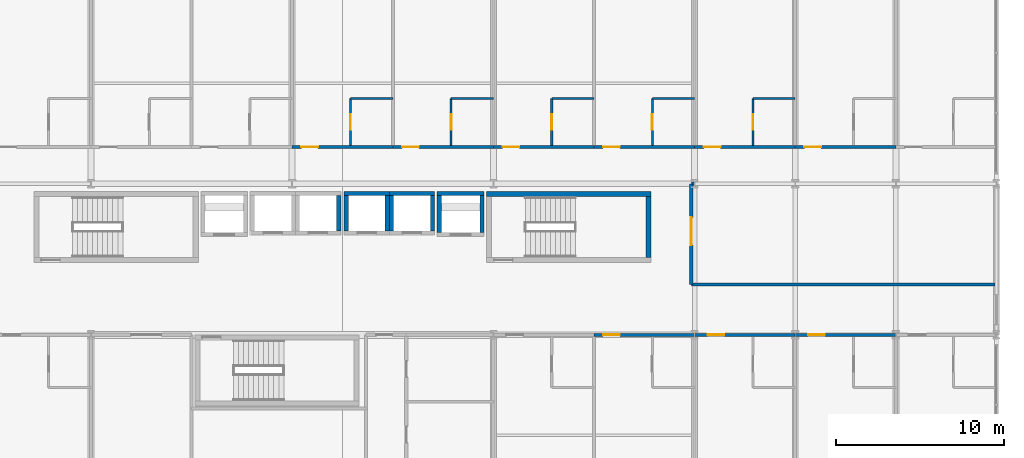
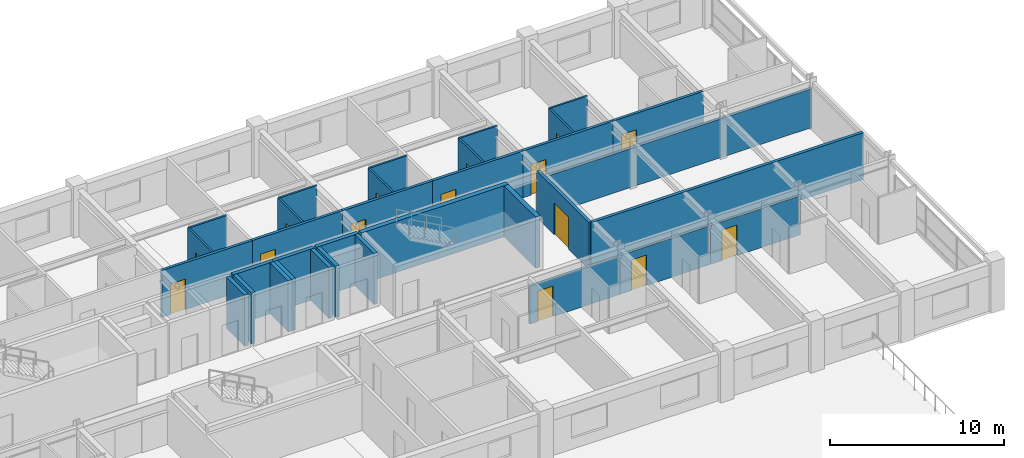
# One storey, part 19 of 24: 34 walls, 15 doors, 15 openings.
"""IFC4 building model written with IfcOpenShell, lengths in metres."""

from ifc_helpers import new_model, si_unit, direction, frame, frame_2d, origin, place, context, subcontext, project, spatial, rectangle, extrude, material, layer, layer_set, type_object, element, fill, save


model = new_model("IFC4")

# Units and contexts
model_context = context("Model", 3, precision=1e-05, world=origin(), true_north=direction((0.0, 1.0)))
body_context = subcontext(model_context, "Body", "Model", "MODEL_VIEW")
ifc_project = project(units=[si_unit("LENGTHUNIT", "METRE"), si_unit("AREAUNIT", "SQUARE_METRE"), si_unit("VOLUMEUNIT", "CUBIC_METRE"), si_unit("PLANEANGLEUNIT", "RADIAN"), si_unit("MASSUNIT", "GRAM", prefix="KILO")], contexts=[model_context])

# Site, building, storey
site_placement = place(None, origin())
site = spatial("IfcSite", under=ifc_project, at=site_placement, CompositionType="ELEMENT")
building_placement = place(site_placement, origin())
building = spatial("IfcBuilding", under=site, at=building_placement, Name="Kaldorvane Square Convention Centre", CompositionType="ELEMENT")
storey_placement = place(building_placement, frame((0.0, 0.0, 27.600006103515625)))
storey = spatial("IfcBuildingStorey", under=building, at=storey_placement, Name="L05", CompositionType="ELEMENT", Elevation=27.600006103515625)

# Wall, opening, door
ifc_material_1 = material(Name="Fire-Rated Gypsum Board on Acoustic Steel Studs", Category="steel")
ifc_layer_1 = layer(ifc_material_1, 0.125)
ifc_layer_set_1 = layer_set([ifc_layer_1], Name="Fire-Rated Gypsum Board on Acoustic Steel Studs")
wall_type_1 = type_object("IfcWallType", Name="WL-BATH-125", PredefinedType="PARTITIONING", material=ifc_layer_set_1)
wall_1_placement = place(storey_placement, frame((57.47999572753906, 107.28999328613281, 0.0), z_axis=(0.0, 0.0, 1.0), x_axis=(0.0, 1.0, 0.0)))
wall_1 = element("IfcWall", 1, at=wall_1_placement, inside=storey, type_object=wall_type_1, Name="En-Suite 506 West Wall", PredefinedType="PARTITIONING", context=body_context, shape_type="SweptSolid", body=[
    extrude(rectangle(XDim=2.8100128173828125, YDim=0.125, at=frame_2d((1.404998779296875, 0.0))), origin(), (0.0, 0.0, 1.0), 3.2899932861328125),
])
opening_1_placement = place(wall_1_placement, frame((0.9499969482421875, 0.0, 0.0)))
opening_1 = element("IfcOpeningElement", 2, at=opening_1_placement, cuts=wall_1, Name="Opening ID-12", PredefinedType="OPENING", context=body_context, shape_type="SweptSolid", body=[
    extrude(rectangle(XDim=0.9199981689453125, YDim=2.100006103515625, at=frame_2d((0.459991455078125, 1.0500030517578125))), frame((0.0, 0.0774993896484375, 0.0), z_axis=(0.0, -1.0, 0.0), x_axis=(1.0, 0.0, 0.0)), (0.0, 0.0, 1.0), 0.154998779296875),
])
ifc_material_2 = material(Name="Architectural Solid-Core White Oak")
door_type_1 = type_object("IfcDoorType", Name="DR-BATH-0920X2100", OperationType="SINGLE_SWING_RIGHT", PredefinedType="DOOR", material=ifc_material_2)
door_1_placement = place(opening_1_placement, origin())
door_1 = element("IfcDoor", 3, at=door_1_placement, inside=storey, type_object=door_type_1, Name="En-Suite Bathroom 506 Door", OperationType="SINGLE_SWING_RIGHT", OverallHeight=2.100006103515625, OverallWidth=0.9199981689453125, PredefinedType="DOOR", context=body_context, shape_type="SweptSolid", body=[
    extrude(rectangle(XDim=0.9199981689453125, YDim=2.100006103515625, at=frame_2d((0.459991455078125, 1.0500030517578125))), frame((0.0, 0.024993896484375, 0.0), z_axis=(0.0, -1.0, 0.0), x_axis=(1.0, 0.0, 0.0)), (0.0, 0.0, 1.0), 0.0500030517578125),
])
fill(opening_1, door_1)

# Wall
wall_2_placement = place(storey_placement, frame((57.47999572753906, 110.10000610351562, 0.0), z_axis=(0.0, 0.0, 1.0), x_axis=(1.0, 0.0, 0.0)))
element("IfcWall", 4, at=wall_2_placement, inside=storey, type_object=wall_type_1, Name="En-Suite 506 North Wall", PredefinedType="PARTITIONING", context=body_context, shape_type="SweptSolid", body=[
    extrude(rectangle(XDim=2.5200042724609375, YDim=0.125, at=frame_2d((1.260009765625, 0.0))), origin(), (0.0, 0.0, 1.0), 3.2899932861328125),
])

# Wall, opening, door
wall_3_placement = place(storey_placement, frame((63.47999572753906, 107.28999328613281, 0.0), z_axis=(0.0, 0.0, 1.0), x_axis=(0.0, 1.0, 0.0)))
wall_3 = element("IfcWall", 5, at=wall_3_placement, inside=storey, type_object=wall_type_1, Name="En-Suite 507 West Wall", PredefinedType="PARTITIONING", context=body_context, shape_type="SweptSolid", body=[
    extrude(rectangle(XDim=2.8100128173828125, YDim=0.125, at=frame_2d((1.404998779296875, 0.0))), origin(), (0.0, 0.0, 1.0), 3.2899932861328125),
])
opening_2_placement = place(wall_3_placement, frame((0.9499969482421875, 0.0, 0.0)))
opening_2 = element("IfcOpeningElement", 6, at=opening_2_placement, cuts=wall_3, Name="Opening ID-12", PredefinedType="OPENING", context=body_context, shape_type="SweptSolid", body=[
    extrude(rectangle(XDim=0.9199981689453125, YDim=2.100006103515625, at=frame_2d((0.459991455078125, 1.0500030517578125))), frame((0.0, 0.0774993896484375, 0.0), z_axis=(0.0, -1.0, 0.0), x_axis=(1.0, 0.0, 0.0)), (0.0, 0.0, 1.0), 0.154998779296875),
])
door_2_placement = place(opening_2_placement, origin())
door_2 = element("IfcDoor", 7, at=door_2_placement, inside=storey, type_object=door_type_1, Name="En-Suite Bathroom 507 Door", OperationType="SINGLE_SWING_RIGHT", OverallHeight=2.100006103515625, OverallWidth=0.9199981689453125, PredefinedType="DOOR", context=body_context, shape_type="SweptSolid", body=[
    extrude(rectangle(XDim=0.9199981689453125, YDim=2.100006103515625, at=frame_2d((0.459991455078125, 1.0500030517578125))), frame((0.0, 0.024993896484375, 0.0), z_axis=(0.0, -1.0, 0.0), x_axis=(1.0, 0.0, 0.0)), (0.0, 0.0, 1.0), 0.0500030517578125),
])
fill(opening_2, door_2)

# Wall
wall_4_placement = place(storey_placement, frame((63.47999572753906, 110.10000610351562, 0.0), z_axis=(0.0, 0.0, 1.0), x_axis=(1.0, 0.0, 0.0)))
element("IfcWall", 8, at=wall_4_placement, inside=storey, type_object=wall_type_1, Name="En-Suite 507 North Wall", PredefinedType="PARTITIONING", context=body_context, shape_type="SweptSolid", body=[
    extrude(rectangle(XDim=2.5200042724609375, YDim=0.125, at=frame_2d((1.260009765625, 0.0))), origin(), (0.0, 0.0, 1.0), 3.2899932861328125),
])

# Wall, opening, door
wall_5_placement = place(storey_placement, frame((69.47999572753906, 107.28999328613281, 0.0), z_axis=(0.0, 0.0, 1.0), x_axis=(0.0, 1.0, 0.0)))
wall_5 = element("IfcWall", 9, at=wall_5_placement, inside=storey, type_object=wall_type_1, Name="En-Suite 508 West Wall", PredefinedType="PARTITIONING", context=body_context, shape_type="SweptSolid", body=[
    extrude(rectangle(XDim=2.8100128173828125, YDim=0.125, at=frame_2d((1.404998779296875, 0.0))), origin(), (0.0, 0.0, 1.0), 3.2899932861328125),
])
opening_3_placement = place(wall_5_placement, frame((0.9499969482421875, 0.0, 0.0)))
opening_3 = element("IfcOpeningElement", 10, at=opening_3_placement, cuts=wall_5, Name="Opening ID-12", PredefinedType="OPENING", context=body_context, shape_type="SweptSolid", body=[
    extrude(rectangle(XDim=0.9199981689453125, YDim=2.100006103515625, at=frame_2d((0.459991455078125, 1.0500030517578125))), frame((0.0, 0.0774993896484375, 0.0), z_axis=(0.0, -1.0, 0.0), x_axis=(1.0, 0.0, 0.0)), (0.0, 0.0, 1.0), 0.154998779296875),
])
door_3_placement = place(opening_3_placement, origin())
door_3 = element("IfcDoor", 11, at=door_3_placement, inside=storey, type_object=door_type_1, Name="En-Suite Bathroom 508 Door", OperationType="SINGLE_SWING_RIGHT", OverallHeight=2.100006103515625, OverallWidth=0.9199981689453125, PredefinedType="DOOR", context=body_context, shape_type="SweptSolid", body=[
    extrude(rectangle(XDim=0.9199981689453125, YDim=2.100006103515625, at=frame_2d((0.459991455078125, 1.0500030517578125))), frame((0.0, 0.024993896484375, 0.0), z_axis=(0.0, -1.0, 0.0), x_axis=(1.0, 0.0, 0.0)), (0.0, 0.0, 1.0), 0.0500030517578125),
])
fill(opening_3, door_3)

# Wall
wall_6_placement = place(storey_placement, frame((69.47999572753906, 110.10000610351562, 0.0), z_axis=(0.0, 0.0, 1.0), x_axis=(1.0, 0.0, 0.0)))
element("IfcWall", 12, at=wall_6_placement, inside=storey, type_object=wall_type_1, Name="En-Suite 508 North Wall", PredefinedType="PARTITIONING", context=body_context, shape_type="SweptSolid", body=[
    extrude(rectangle(XDim=2.5200042724609375, YDim=0.125, at=frame_2d((1.260009765625, 0.0))), origin(), (0.0, 0.0, 1.0), 3.2899932861328125),
])

# Wall, opening, door
wall_7_placement = place(storey_placement, frame((75.47999572753906, 107.28999328613281, 0.0), z_axis=(0.0, 0.0, 1.0), x_axis=(0.0, 1.0, 0.0)))
wall_7 = element("IfcWall", 13, at=wall_7_placement, inside=storey, type_object=wall_type_1, Name="En-Suite 509 West Wall", PredefinedType="PARTITIONING", context=body_context, shape_type="SweptSolid", body=[
    extrude(rectangle(XDim=2.8100128173828125, YDim=0.125, at=frame_2d((1.404998779296875, 0.0))), origin(), (0.0, 0.0, 1.0), 3.2899932861328125),
])
opening_4_placement = place(wall_7_placement, frame((0.9499969482421875, 0.0, 0.0)))
opening_4 = element("IfcOpeningElement", 14, at=opening_4_placement, cuts=wall_7, Name="Opening ID-12", PredefinedType="OPENING", context=body_context, shape_type="SweptSolid", body=[
    extrude(rectangle(XDim=0.9199981689453125, YDim=2.100006103515625, at=frame_2d((0.459991455078125, 1.0500030517578125))), frame((0.0, 0.0774993896484375, 0.0), z_axis=(0.0, -1.0, 0.0), x_axis=(1.0, 0.0, 0.0)), (0.0, 0.0, 1.0), 0.154998779296875),
])
door_4_placement = place(opening_4_placement, origin())
door_4 = element("IfcDoor", 15, at=door_4_placement, inside=storey, type_object=door_type_1, Name="En-Suite Bathroom 509 Door", OperationType="SINGLE_SWING_RIGHT", OverallHeight=2.100006103515625, OverallWidth=0.9199981689453125, PredefinedType="DOOR", context=body_context, shape_type="SweptSolid", body=[
    extrude(rectangle(XDim=0.9199981689453125, YDim=2.100006103515625, at=frame_2d((0.459991455078125, 1.0500030517578125))), frame((0.0, 0.024993896484375, 0.0), z_axis=(0.0, -1.0, 0.0), x_axis=(1.0, 0.0, 0.0)), (0.0, 0.0, 1.0), 0.0500030517578125),
])
fill(opening_4, door_4)

# Wall
wall_8_placement = place(storey_placement, frame((75.47999572753906, 110.10000610351562, 0.0), z_axis=(0.0, 0.0, 1.0), x_axis=(1.0, 0.0, 0.0)))
element("IfcWall", 16, at=wall_8_placement, inside=storey, type_object=wall_type_1, Name="En-Suite 509 North Wall", PredefinedType="PARTITIONING", context=body_context, shape_type="SweptSolid", body=[
    extrude(rectangle(XDim=2.5200042724609375, YDim=0.125, at=frame_2d((1.260009765625, 0.0))), origin(), (0.0, 0.0, 1.0), 3.2899932861328125),
])

# Wall, opening, door
wall_9_placement = place(storey_placement, frame((81.47999572753906, 107.28999328613281, 0.0), z_axis=(0.0, 0.0, 1.0), x_axis=(0.0, 1.0, 0.0)))
wall_9 = element("IfcWall", 17, at=wall_9_placement, inside=storey, type_object=wall_type_1, Name="En-Suite 510 West Wall", PredefinedType="PARTITIONING", context=body_context, shape_type="SweptSolid", body=[
    extrude(rectangle(XDim=2.8100128173828125, YDim=0.125, at=frame_2d((1.404998779296875, 0.0))), origin(), (0.0, 0.0, 1.0), 3.2899932861328125),
])
opening_5_placement = place(wall_9_placement, frame((0.9499969482421875, 0.0, 0.0)))
opening_5 = element("IfcOpeningElement", 18, at=opening_5_placement, cuts=wall_9, Name="Opening ID-12", PredefinedType="OPENING", context=body_context, shape_type="SweptSolid", body=[
    extrude(rectangle(XDim=0.9199981689453125, YDim=2.100006103515625, at=frame_2d((0.459991455078125, 1.0500030517578125))), frame((0.0, 0.0774993896484375, 0.0), z_axis=(0.0, -1.0, 0.0), x_axis=(1.0, 0.0, 0.0)), (0.0, 0.0, 1.0), 0.154998779296875),
])
door_5_placement = place(opening_5_placement, origin())
door_5 = element("IfcDoor", 19, at=door_5_placement, inside=storey, type_object=door_type_1, Name="En-Suite Bathroom 510 Door", OperationType="SINGLE_SWING_RIGHT", OverallHeight=2.100006103515625, OverallWidth=0.9199981689453125, PredefinedType="DOOR", context=body_context, shape_type="SweptSolid", body=[
    extrude(rectangle(XDim=0.9199981689453125, YDim=2.100006103515625, at=frame_2d((0.459991455078125, 1.0500030517578125))), frame((0.0, 0.024993896484375, 0.0), z_axis=(0.0, -1.0, 0.0), x_axis=(1.0, 0.0, 0.0)), (0.0, 0.0, 1.0), 0.0500030517578125),
])
fill(opening_5, door_5)

# Walls
wall_10_placement = place(storey_placement, frame((81.47999572753906, 110.10000610351562, 0.0), z_axis=(0.0, 0.0, 1.0), x_axis=(1.0, 0.0, 0.0)))
element("IfcWall", 20, at=wall_10_placement, inside=storey, type_object=wall_type_1, Name="En-Suite 510 North Wall", PredefinedType="PARTITIONING", context=body_context, shape_type="SweptSolid", body=[
    extrude(rectangle(XDim=2.5200042724609375, YDim=0.125, at=frame_2d((1.260009765625, 0.0))), origin(), (0.0, 0.0, 1.0), 3.2899932861328125),
])
ifc_layer_2 = layer(ifc_material_1, 0.1999969482421875)
ifc_layer_set_2 = layer_set([ifc_layer_2], Name="Fire-Rated Gypsum Board on Acoustic Steel Studs")
wall_type_2 = type_object("IfcWallType", Name="WL-CORR-200", PredefinedType="PARTITIONING", material=ifc_layer_set_2)
wall_11_placement = place(storey_placement, frame((77.80000305175781, 99.0, 0.0), z_axis=(0.0, 0.0, 1.0), x_axis=(1.0, 0.0, 0.0)))
element("IfcWall", 21, at=wall_11_placement, inside=storey, type_object=wall_type_2, Name="East Square View Lounge (L05) S Wall", PredefinedType="PARTITIONING", context=body_context, shape_type="SweptSolid", body=[
    extrude(rectangle(XDim=18.114990234375, YDim=0.1999969482421875, at=frame_2d((9.0574951171875, 0.0))), origin(), (0.0, 0.0, 1.0), 3.2899932861328125),
])
wall_12_placement = place(storey_placement, frame((95.91499328613281, 105.0, 0.0), z_axis=(0.0, 0.0, 1.0), x_axis=(-1.0, 0.0, 0.0)))
element("IfcWall", 22, at=wall_12_placement, inside=storey, type_object=wall_type_2, Name="East Square View Lounge (L05) N Wall", PredefinedType="PARTITIONING", context=body_context, shape_type="SweptSolid", body=[
    extrude(rectangle(XDim=18.114990234375, YDim=0.1999969482421875, at=frame_2d((9.0574951171875, 0.0))), origin(), (0.0, 0.0, 1.0), 2.735992431640625),
])

# Wall, opening, door
wall_13_placement = place(storey_placement, frame((77.80000305175781, 105.0, 0.0), z_axis=(0.0, 0.0, 1.0), x_axis=(0.0, -1.0, 0.0)))
wall_13 = element("IfcWall", 23, at=wall_13_placement, inside=storey, type_object=wall_type_2, Name="East Square View Lounge (L05) W Wall", PredefinedType="PARTITIONING", context=body_context, shape_type="SweptSolid", body=[
    extrude(rectangle(XDim=6.0, YDim=0.1999969482421875, at=frame_2d((3.0, 0.0))), origin(), (0.0, 0.0, 1.0), 3.2899932861328125),
])
opening_6_placement = place(wall_13_placement, frame((2.0, 0.0, 0.0)))
opening_6 = element("IfcOpeningElement", 24, at=opening_6_placement, cuts=wall_13, Name="Opening ID-16", PredefinedType="OPENING", context=body_context, shape_type="SweptSolid", body=[
    extrude(rectangle(XDim=1.649993896484375, YDim=2.25, at=frame_2d((0.8249969482421875, 1.125))), frame((0.0, 0.114990234375, 0.0), z_axis=(0.0, -1.0, 0.0), x_axis=(1.0, 0.0, 0.0)), (0.0, 0.0, 1.0), 0.2299957275390625),
])
ifc_material_3 = material(Name="Acoustic Laminated Glass in Aluminum Frame", Category="aluminium")
door_type_2 = type_object("IfcDoorType", Name="DR-GL-1650X2250", OperationType="DOUBLE_DOOR_SINGLE_SWING", PredefinedType="DOOR", material=ifc_material_3)
door_6_placement = place(opening_6_placement, origin())
door_6 = element("IfcDoor", 25, at=door_6_placement, inside=storey, type_object=door_type_2, Name="East Square View Lounge (L05) Door 1", OperationType="DOUBLE_DOOR_SINGLE_SWING", OverallHeight=2.25, OverallWidth=1.649993896484375, PredefinedType="DOOR", context=body_context, shape_type="SweptSolid", body=[
    extrude(rectangle(XDim=1.649993896484375, YDim=2.25, at=frame_2d((0.8249969482421875, 1.125))), frame((0.0, 0.024993896484375, 0.0), z_axis=(0.0, -1.0, 0.0), x_axis=(1.0, 0.0, 0.0)), (0.0, 0.0, 1.0), 0.0500030517578125),
])
fill(opening_6, door_6)

# Walls
ifc_material_4 = material(Name="Concrete f'c = 55 MPa (Normalweight)", Category="concrete")
ifc_layer_3 = layer(ifc_material_4, 0.3000030517578125)
ifc_layer_set_3 = layer_set([ifc_layer_3], Name="Concrete f'c = 55 MPa (Normalweight)")
wall_type_3 = type_object("IfcWallType", Name="WL-SHAFT-300", PredefinedType="SHEAR", material=ifc_layer_set_3)
wall_14_placement = place(storey_placement, frame((75.39999389648438, 104.39999389648438, 0.0), z_axis=(0.0, 0.0, 1.0), x_axis=(-1.0, 0.0, 0.0)))
element("IfcWall", 26, at=wall_14_placement, inside=storey, type_object=wall_type_3, Name="Core Enclosure Wall stair:ST-T2-N (L05)", PredefinedType="SHEAR", context=body_context, shape_type="SweptSolid", body=[
    extrude(rectangle(XDim=9.79998779296875, YDim=0.3000030517578125, at=frame_2d((4.899993896484375, 0.0))), origin(), (0.0, 0.0, 1.0), 3.5999908447265625),
])
wall_15_placement = place(storey_placement, frame((75.25, 100.61000061035156, 0.0), z_axis=(0.0, 0.0, 1.0), x_axis=(0.0, 1.0, 0.0)))
element("IfcWall", 27, at=wall_15_placement, inside=storey, type_object=wall_type_3, Name="Core Enclosure Wall stair:ST-T2-E (L05)", PredefinedType="SHEAR", context=body_context, shape_type="SweptSolid", body=[
    extrude(rectangle(XDim=3.6399993896484375, YDim=0.3000030517578125, at=frame_2d((1.82000732421875, 0.0))), origin(), (0.0, 0.0, 1.0), 3.5999908447265625),
])
wall_16_placement = place(storey_placement, frame((65.44999694824219, 104.42500305175781, 0.0), z_axis=(0.0, 0.0, 1.0), x_axis=(-1.0, 0.0, 0.0)))
element("IfcWall", 28, at=wall_16_placement, inside=storey, type_object=wall_type_3, Name="Core Enclosure Wall lift:FSAE-02-N (L05)", PredefinedType="SHEAR", context=body_context, shape_type="SweptSolid", body=[
    extrude(rectangle(XDim=2.8000030517578125, YDim=0.25, at=frame_2d((1.399993896484375, 0.0))), origin(), (0.0, 0.0, 1.0), 3.5999908447265625),
])
for number, where, z_axis, x_axis, name in (
    (29, (62.774993896484375, 104.30000305175781, 0.0), (0.0, 0.0, 1.0), (0.0, -1.0, 0.0), "Core Enclosure Wall lift:FSAE-02-W (L05)"),
    (30, (65.32499694824219, 102.10000610351562, 0.0), (0.0, 0.0, 1.0), (0.0, 1.0, 0.0), "Core Enclosure Wall lift:FSAE-02-E (L05)"),
):
    element("IfcWall", number, at=place(storey_placement, frame(where, z_axis=z_axis, x_axis=x_axis)), inside=storey, type_object=wall_type_3, Name=name, PredefinedType="SHEAR", context=body_context, shape_type="SweptSolid", body=[
        extrude(rectangle(XDim=2.1999969482421875, YDim=0.25, at=frame_2d((1.100006103515625, 0.0))), origin(), (0.0, 0.0, 1.0), 3.5999908447265625),
    ])
wall_17_placement = place(storey_placement, frame((56.774993896484375, 102.19999694824219, 0.0), z_axis=(0.0, 0.0, 1.0), x_axis=(0.0, 1.0, 0.0)))
element("IfcWall", 31, at=wall_17_placement, inside=storey, type_object=wall_type_3, Name="Core Enclosure Wall lift:EL-P2-E (L05)", PredefinedType="SHEAR", context=body_context, shape_type="SweptSolid", body=[
    extrude(rectangle(XDim=2.100006103515625, YDim=0.25, at=frame_2d((1.0500030517578125, 0.0))), origin(), (0.0, 0.0, 1.0), 3.5999908447265625),
])
wall_18_placement = place(storey_placement, frame((59.80000305175781, 104.42500305175781, 0.0), z_axis=(0.0, 0.0, 1.0), x_axis=(-1.0, 0.0, 0.0)))
element("IfcWall", 32, at=wall_18_placement, inside=storey, type_object=wall_type_3, Name="Core Enclosure Wall lift:EL-P3-N (L05)", PredefinedType="SHEAR", context=body_context, shape_type="SweptSolid", body=[
    extrude(rectangle(XDim=2.6999969482421875, YDim=0.25, at=frame_2d((1.350006103515625, 0.0))), origin(), (0.0, 0.0, 1.0), 3.5999908447265625),
])
for number, where, z_axis, x_axis, name in (
    (33, (57.225006103515625, 104.30000305175781, 0.0), (0.0, 0.0, 1.0), (0.0, -1.0, 0.0), "Core Enclosure Wall lift:EL-P3-W (L05)"),
    (34, (59.67500305175781, 102.19999694824219, 0.0), (0.0, 0.0, 1.0), (0.0, 1.0, 0.0), "Core Enclosure Wall lift:EL-P3-E (L05)"),
):
    element("IfcWall", number, at=place(storey_placement, frame(where, z_axis=z_axis, x_axis=x_axis)), inside=storey, type_object=wall_type_3, Name=name, PredefinedType="SHEAR", context=body_context, shape_type="SweptSolid", body=[
        extrude(rectangle(XDim=2.100006103515625, YDim=0.25, at=frame_2d((1.0500030517578125, 0.0))), origin(), (0.0, 0.0, 1.0), 3.5999908447265625),
    ])
wall_19_placement = place(storey_placement, frame((62.5, 104.42500305175781, 0.0), z_axis=(0.0, 0.0, 1.0), x_axis=(-1.0, 0.0, 0.0)))
element("IfcWall", 35, at=wall_19_placement, inside=storey, type_object=wall_type_3, Name="Core Enclosure Wall lift:EL-P4-N (L05)", PredefinedType="SHEAR", context=body_context, shape_type="SweptSolid", body=[
    extrude(rectangle(XDim=2.6999969482421875, YDim=0.25, at=frame_2d((1.350006103515625, 0.0))), origin(), (0.0, 0.0, 1.0), 3.5999908447265625),
])
for number, where, z_axis, x_axis, name in (
    (36, (59.92500305175781, 104.30000305175781, 0.0), (0.0, 0.0, 1.0), (0.0, -1.0, 0.0), "Core Enclosure Wall lift:EL-P4-W (L05)"),
    (37, (62.375, 102.19999694824219, 0.0), (0.0, 0.0, 1.0), (0.0, 1.0, 0.0), "Core Enclosure Wall lift:EL-P4-E (L05)"),
):
    element("IfcWall", number, at=place(storey_placement, frame(where, z_axis=z_axis, x_axis=x_axis)), inside=storey, type_object=wall_type_3, Name=name, PredefinedType="SHEAR", context=body_context, shape_type="SweptSolid", body=[
        extrude(rectangle(XDim=2.100006103515625, YDim=0.25, at=frame_2d((1.0500030517578125, 0.0))), origin(), (0.0, 0.0, 1.0), 3.5999908447265625),
    ])

# Wall, opening, door
ifc_layer_4 = layer(ifc_material_1, 0.17999267578125)
ifc_layer_set_4 = layer_set([ifc_layer_4], Name="Fire-Rated Gypsum Board on Acoustic Steel Studs")
wall_type_4 = type_object("IfcWallType", Name="WL-UNIT-180", PredefinedType="PARTITIONING", material=ifc_layer_set_4)
wall_20_placement = place(storey_placement, frame((54.0, 107.19999694824219, 0.0), z_axis=(0.0, 0.0, 1.0), x_axis=(1.0, 0.0, 0.0)))
wall_20 = element("IfcWall", 38, at=wall_20_placement, inside=storey, type_object=wall_type_4, Name="Hotel Guest Room 506 Corridor Wall", PredefinedType="PARTITIONING", context=body_context, shape_type="SweptSolid", body=[
    extrude(rectangle(XDim=6.0, YDim=0.17999267578125, at=frame_2d((3.0, 0.0))), origin(), (0.0, 0.0, 1.0), 3.2899932861328125),
])
opening_7_placement = place(wall_20_placement, frame((0.5500030517578125, 0.0, 0.0)))
opening_7 = element("IfcOpeningElement", 39, at=opening_7_placement, cuts=wall_20, Name="Opening ID-10", PredefinedType="OPENING", context=body_context, shape_type="SweptSolid", body=[
    extrude(rectangle(XDim=1.0, YDim=2.149993896484375, at=frame_2d((0.5, 1.0749969482421875))), frame((0.0, 0.1049957275390625, 0.0), z_axis=(0.0, -1.0, 0.0), x_axis=(1.0, 0.0, 0.0)), (0.0, 0.0, 1.0), 0.209991455078125),
])
door_type_3 = type_object("IfcDoorType", Name="DR-GUEST-1000X2150", OperationType="SINGLE_SWING_LEFT", PredefinedType="DOOR", material=ifc_material_2)
door_7_placement = place(opening_7_placement, origin())
door_7 = element("IfcDoor", 40, at=door_7_placement, inside=storey, type_object=door_type_3, Name="Hotel Guest Room 506 Entry Door", OperationType="SINGLE_SWING_LEFT", OverallHeight=2.149993896484375, OverallWidth=1.0, PredefinedType="DOOR", context=body_context, shape_type="SweptSolid", body=[
    extrude(rectangle(XDim=1.0, YDim=2.149993896484375, at=frame_2d((0.5, 1.0749969482421875))), frame((0.0, 0.024993896484375, 0.0), z_axis=(0.0, -1.0, 0.0), x_axis=(1.0, 0.0, 0.0)), (0.0, 0.0, 1.0), 0.0500030517578125),
])
fill(opening_7, door_7)

wall_21_placement = place(storey_placement, frame((60.0, 107.19999694824219, 0.0), z_axis=(0.0, 0.0, 1.0), x_axis=(1.0, 0.0, 0.0)))
wall_21 = element("IfcWall", 41, at=wall_21_placement, inside=storey, type_object=wall_type_4, Name="Hotel Guest Room 507 Corridor Wall", PredefinedType="PARTITIONING", context=body_context, shape_type="SweptSolid", body=[
    extrude(rectangle(XDim=6.0, YDim=0.17999267578125, at=frame_2d((3.0, 0.0))), origin(), (0.0, 0.0, 1.0), 3.2899932861328125),
])
opening_8_placement = place(wall_21_placement, frame((0.5500030517578125, 0.0, 0.0)))
opening_8 = element("IfcOpeningElement", 42, at=opening_8_placement, cuts=wall_21, Name="Opening ID-10", PredefinedType="OPENING", context=body_context, shape_type="SweptSolid", body=[
    extrude(rectangle(XDim=1.0, YDim=2.149993896484375, at=frame_2d((0.5, 1.0749969482421875))), frame((0.0, 0.1049957275390625, 0.0), z_axis=(0.0, -1.0, 0.0), x_axis=(1.0, 0.0, 0.0)), (0.0, 0.0, 1.0), 0.209991455078125),
])
door_8_placement = place(opening_8_placement, origin())
door_8 = element("IfcDoor", 43, at=door_8_placement, inside=storey, type_object=door_type_3, Name="Hotel Guest Room 507 Entry Door", OperationType="SINGLE_SWING_LEFT", OverallHeight=2.149993896484375, OverallWidth=1.0, PredefinedType="DOOR", context=body_context, shape_type="SweptSolid", body=[
    extrude(rectangle(XDim=1.0, YDim=2.149993896484375, at=frame_2d((0.5, 1.0749969482421875))), frame((0.0, 0.024993896484375, 0.0), z_axis=(0.0, -1.0, 0.0), x_axis=(1.0, 0.0, 0.0)), (0.0, 0.0, 1.0), 0.0500030517578125),
])
fill(opening_8, door_8)

wall_22_placement = place(storey_placement, frame((66.0, 107.19999694824219, 0.0), z_axis=(0.0, 0.0, 1.0), x_axis=(1.0, 0.0, 0.0)))
wall_22 = element("IfcWall", 44, at=wall_22_placement, inside=storey, type_object=wall_type_4, Name="Hotel Guest Room 508 Corridor Wall", PredefinedType="PARTITIONING", context=body_context, shape_type="SweptSolid", body=[
    extrude(rectangle(XDim=6.0, YDim=0.17999267578125, at=frame_2d((3.0, 0.0))), origin(), (0.0, 0.0, 1.0), 3.2899932861328125),
])
opening_9_placement = place(wall_22_placement, frame((0.5500030517578125, 0.0, 0.0)))
opening_9 = element("IfcOpeningElement", 45, at=opening_9_placement, cuts=wall_22, Name="Opening ID-10", PredefinedType="OPENING", context=body_context, shape_type="SweptSolid", body=[
    extrude(rectangle(XDim=1.0, YDim=2.149993896484375, at=frame_2d((0.5, 1.0749969482421875))), frame((0.0, 0.1049957275390625, 0.0), z_axis=(0.0, -1.0, 0.0), x_axis=(1.0, 0.0, 0.0)), (0.0, 0.0, 1.0), 0.209991455078125),
])
door_9_placement = place(opening_9_placement, origin())
door_9 = element("IfcDoor", 46, at=door_9_placement, inside=storey, type_object=door_type_3, Name="Hotel Guest Room 508 Entry Door", OperationType="SINGLE_SWING_LEFT", OverallHeight=2.149993896484375, OverallWidth=1.0, PredefinedType="DOOR", context=body_context, shape_type="SweptSolid", body=[
    extrude(rectangle(XDim=1.0, YDim=2.149993896484375, at=frame_2d((0.5, 1.0749969482421875))), frame((0.0, 0.024993896484375, 0.0), z_axis=(0.0, -1.0, 0.0), x_axis=(1.0, 0.0, 0.0)), (0.0, 0.0, 1.0), 0.0500030517578125),
])
fill(opening_9, door_9)

wall_23_placement = place(storey_placement, frame((72.0, 107.19999694824219, 0.0), z_axis=(0.0, 0.0, 1.0), x_axis=(1.0, 0.0, 0.0)))
wall_23 = element("IfcWall", 47, at=wall_23_placement, inside=storey, type_object=wall_type_4, Name="Hotel Guest Room 509 Corridor Wall", PredefinedType="PARTITIONING", context=body_context, shape_type="SweptSolid", body=[
    extrude(rectangle(XDim=6.0, YDim=0.17999267578125, at=frame_2d((3.0, 0.0))), origin(), (0.0, 0.0, 1.0), 3.2899932861328125),
])
opening_10_placement = place(wall_23_placement, frame((0.5500030517578125, 0.0, 0.0)))
opening_10 = element("IfcOpeningElement", 48, at=opening_10_placement, cuts=wall_23, Name="Opening ID-10", PredefinedType="OPENING", context=body_context, shape_type="SweptSolid", body=[
    extrude(rectangle(XDim=1.0, YDim=2.149993896484375, at=frame_2d((0.5, 1.0749969482421875))), frame((0.0, 0.1049957275390625, 0.0), z_axis=(0.0, -1.0, 0.0), x_axis=(1.0, 0.0, 0.0)), (0.0, 0.0, 1.0), 0.209991455078125),
])
door_10_placement = place(opening_10_placement, origin())
door_10 = element("IfcDoor", 49, at=door_10_placement, inside=storey, type_object=door_type_3, Name="Hotel Guest Room 509 Entry Door", OperationType="SINGLE_SWING_LEFT", OverallHeight=2.149993896484375, OverallWidth=1.0, PredefinedType="DOOR", context=body_context, shape_type="SweptSolid", body=[
    extrude(rectangle(XDim=1.0, YDim=2.149993896484375, at=frame_2d((0.5, 1.0749969482421875))), frame((0.0, 0.024993896484375, 0.0), z_axis=(0.0, -1.0, 0.0), x_axis=(1.0, 0.0, 0.0)), (0.0, 0.0, 1.0), 0.0500030517578125),
])
fill(opening_10, door_10)

wall_24_placement = place(storey_placement, frame((78.0, 107.19999694824219, 0.0), z_axis=(0.0, 0.0, 1.0), x_axis=(1.0, 0.0, 0.0)))
wall_24 = element("IfcWall", 50, at=wall_24_placement, inside=storey, type_object=wall_type_4, Name="Hotel Guest Room 510 Corridor Wall", PredefinedType="PARTITIONING", context=body_context, shape_type="SweptSolid", body=[
    extrude(rectangle(XDim=6.0, YDim=0.17999267578125, at=frame_2d((3.0, 0.0))), origin(), (0.0, 0.0, 1.0), 3.2899932861328125),
])
opening_11_placement = place(wall_24_placement, frame((0.5500030517578125, 0.0, 0.0)))
opening_11 = element("IfcOpeningElement", 51, at=opening_11_placement, cuts=wall_24, Name="Opening ID-10", PredefinedType="OPENING", context=body_context, shape_type="SweptSolid", body=[
    extrude(rectangle(XDim=1.0, YDim=2.149993896484375, at=frame_2d((0.5, 1.0749969482421875))), frame((0.0, 0.1049957275390625, 0.0), z_axis=(0.0, -1.0, 0.0), x_axis=(1.0, 0.0, 0.0)), (0.0, 0.0, 1.0), 0.209991455078125),
])
door_11_placement = place(opening_11_placement, origin())
door_11 = element("IfcDoor", 52, at=door_11_placement, inside=storey, type_object=door_type_3, Name="Hotel Guest Room 510 Entry Door", OperationType="SINGLE_SWING_LEFT", OverallHeight=2.149993896484375, OverallWidth=1.0, PredefinedType="DOOR", context=body_context, shape_type="SweptSolid", body=[
    extrude(rectangle(XDim=1.0, YDim=2.149993896484375, at=frame_2d((0.5, 1.0749969482421875))), frame((0.0, 0.024993896484375, 0.0), z_axis=(0.0, -1.0, 0.0), x_axis=(1.0, 0.0, 0.0)), (0.0, 0.0, 1.0), 0.0500030517578125),
])
fill(opening_11, door_11)

wall_25_placement = place(storey_placement, frame((84.0, 107.19999694824219, 0.0), z_axis=(0.0, 0.0, 1.0), x_axis=(1.0, 0.0, 0.0)))
wall_25 = element("IfcWall", 53, at=wall_25_placement, inside=storey, type_object=wall_type_4, Name="Hotel Guest Room 511 Corridor Wall", PredefinedType="PARTITIONING", context=body_context, shape_type="SweptSolid", body=[
    extrude(rectangle(XDim=6.0, YDim=0.17999267578125, at=frame_2d((3.0, 0.0))), origin(), (0.0, 0.0, 1.0), 3.2899932861328125),
])
opening_12_placement = place(wall_25_placement, frame((0.5500030517578125, 0.0, 0.0)))
opening_12 = element("IfcOpeningElement", 54, at=opening_12_placement, cuts=wall_25, Name="Opening ID-10", PredefinedType="OPENING", context=body_context, shape_type="SweptSolid", body=[
    extrude(rectangle(XDim=1.0, YDim=2.149993896484375, at=frame_2d((0.5, 1.0749969482421875))), frame((0.0, 0.1049957275390625, 0.0), z_axis=(0.0, -1.0, 0.0), x_axis=(1.0, 0.0, 0.0)), (0.0, 0.0, 1.0), 0.209991455078125),
])
door_12_placement = place(opening_12_placement, origin())
door_12 = element("IfcDoor", 55, at=door_12_placement, inside=storey, type_object=door_type_3, Name="Hotel Guest Room 511 Entry Door", OperationType="SINGLE_SWING_LEFT", OverallHeight=2.149993896484375, OverallWidth=1.0, PredefinedType="DOOR", context=body_context, shape_type="SweptSolid", body=[
    extrude(rectangle(XDim=1.0, YDim=2.149993896484375, at=frame_2d((0.5, 1.0749969482421875))), frame((0.0, 0.024993896484375, 0.0), z_axis=(0.0, -1.0, 0.0), x_axis=(1.0, 0.0, 0.0)), (0.0, 0.0, 1.0), 0.0500030517578125),
])
fill(opening_12, door_12)

wall_26_placement = place(storey_placement, frame((72.0, 96.0, 0.0), z_axis=(0.0, 0.0, 1.0), x_axis=(1.0, 0.0, 0.0)))
wall_26 = element("IfcWall", 56, at=wall_26_placement, inside=storey, type_object=wall_type_4, Name="Hotel Guest Room 517 Corridor Wall", PredefinedType="PARTITIONING", context=body_context, shape_type="SweptSolid", body=[
    extrude(rectangle(XDim=6.0, YDim=0.17999267578125, at=frame_2d((3.0, 0.0))), origin(), (0.0, 0.0, 1.0), 2.66400146484375),
])
opening_13_placement = place(wall_26_placement, frame((0.5500030517578125, 0.0, 0.0)))
opening_13 = element("IfcOpeningElement", 57, at=opening_13_placement, cuts=wall_26, Name="Opening ID-10", PredefinedType="OPENING", context=body_context, shape_type="SweptSolid", body=[
    extrude(rectangle(XDim=1.0, YDim=2.149993896484375, at=frame_2d((0.5, 1.0749969482421875))), frame((0.0, 0.1049957275390625, 0.0), z_axis=(0.0, -1.0, 0.0), x_axis=(1.0, 0.0, 0.0)), (0.0, 0.0, 1.0), 0.209991455078125),
])
door_13_placement = place(opening_13_placement, origin())
door_13 = element("IfcDoor", 58, at=door_13_placement, inside=storey, type_object=door_type_3, Name="Hotel Guest Room 517 Entry Door", OperationType="SINGLE_SWING_LEFT", OverallHeight=2.149993896484375, OverallWidth=1.0, PredefinedType="DOOR", context=body_context, shape_type="SweptSolid", body=[
    extrude(rectangle(XDim=1.0, YDim=2.149993896484375, at=frame_2d((0.5, 1.0749969482421875))), frame((0.0, 0.024993896484375, 0.0), z_axis=(0.0, -1.0, 0.0), x_axis=(1.0, 0.0, 0.0)), (0.0, 0.0, 1.0), 0.0500030517578125),
])
fill(opening_13, door_13)

wall_27_placement = place(storey_placement, frame((78.0, 96.0, 0.0), z_axis=(0.0, 0.0, 1.0), x_axis=(1.0, 0.0, 0.0)))
wall_27 = element("IfcWall", 59, at=wall_27_placement, inside=storey, type_object=wall_type_4, Name="Hotel Guest Room 518 Corridor Wall", PredefinedType="PARTITIONING", context=body_context, shape_type="SweptSolid", body=[
    extrude(rectangle(XDim=6.0, YDim=0.17999267578125, at=frame_2d((3.0, 0.0))), origin(), (0.0, 0.0, 1.0), 2.735992431640625),
])
opening_14_placement = place(wall_27_placement, frame((0.7700042724609375, 0.0, 0.0)))
opening_14 = element("IfcOpeningElement", 60, at=opening_14_placement, cuts=wall_27, Name="Opening ID-10", PredefinedType="OPENING", context=body_context, shape_type="SweptSolid", body=[
    extrude(rectangle(XDim=1.0, YDim=2.149993896484375, at=frame_2d((0.5, 1.0749969482421875))), frame((0.0, 0.1049957275390625, 0.0), z_axis=(0.0, -1.0, 0.0), x_axis=(1.0, 0.0, 0.0)), (0.0, 0.0, 1.0), 0.209991455078125),
])
door_14_placement = place(opening_14_placement, origin())
door_14 = element("IfcDoor", 61, at=door_14_placement, inside=storey, type_object=door_type_3, Name="Hotel Guest Room 518 Entry Door", OperationType="SINGLE_SWING_LEFT", OverallHeight=2.149993896484375, OverallWidth=1.0, PredefinedType="DOOR", context=body_context, shape_type="SweptSolid", body=[
    extrude(rectangle(XDim=1.0, YDim=2.149993896484375, at=frame_2d((0.5, 1.0749969482421875))), frame((0.0, 0.024993896484375, 0.0), z_axis=(0.0, -1.0, 0.0), x_axis=(1.0, 0.0, 0.0)), (0.0, 0.0, 1.0), 0.0500030517578125),
])
fill(opening_14, door_14)

wall_28_placement = place(storey_placement, frame((84.0, 96.0, 0.0), z_axis=(0.0, 0.0, 1.0), x_axis=(1.0, 0.0, 0.0)))
wall_28 = element("IfcWall", 62, at=wall_28_placement, inside=storey, type_object=wall_type_4, Name="Hotel Guest Room 519 Corridor Wall", PredefinedType="PARTITIONING", context=body_context, shape_type="SweptSolid", body=[
    extrude(rectangle(XDim=6.0, YDim=0.17999267578125, at=frame_2d((3.0, 0.0))), origin(), (0.0, 0.0, 1.0), 2.735992431640625),
])
opening_15_placement = place(wall_28_placement, frame((0.7700042724609375, 0.0, 0.0)))
opening_15 = element("IfcOpeningElement", 63, at=opening_15_placement, cuts=wall_28, Name="Opening ID-10", PredefinedType="OPENING", context=body_context, shape_type="SweptSolid", body=[
    extrude(rectangle(XDim=1.0, YDim=2.149993896484375, at=frame_2d((0.5, 1.0749969482421875))), frame((0.0, 0.1049957275390625, 0.0), z_axis=(0.0, -1.0, 0.0), x_axis=(1.0, 0.0, 0.0)), (0.0, 0.0, 1.0), 0.209991455078125),
])
door_15_placement = place(opening_15_placement, origin())
door_15 = element("IfcDoor", 64, at=door_15_placement, inside=storey, type_object=door_type_3, Name="Hotel Guest Room 519 Entry Door", OperationType="SINGLE_SWING_LEFT", OverallHeight=2.149993896484375, OverallWidth=1.0, PredefinedType="DOOR", context=body_context, shape_type="SweptSolid", body=[
    extrude(rectangle(XDim=1.0, YDim=2.149993896484375, at=frame_2d((0.5, 1.0749969482421875))), frame((0.0, 0.024993896484375, 0.0), z_axis=(0.0, -1.0, 0.0), x_axis=(1.0, 0.0, 0.0)), (0.0, 0.0, 1.0), 0.0500030517578125),
])
fill(opening_15, door_15)

save(model, "model.ifc")
